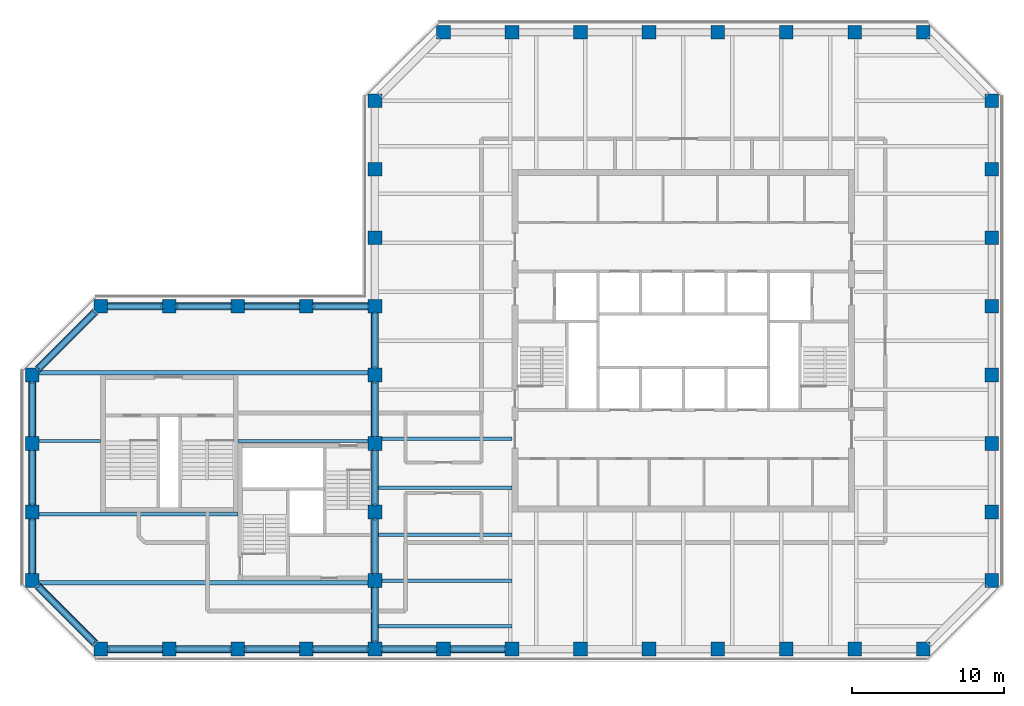
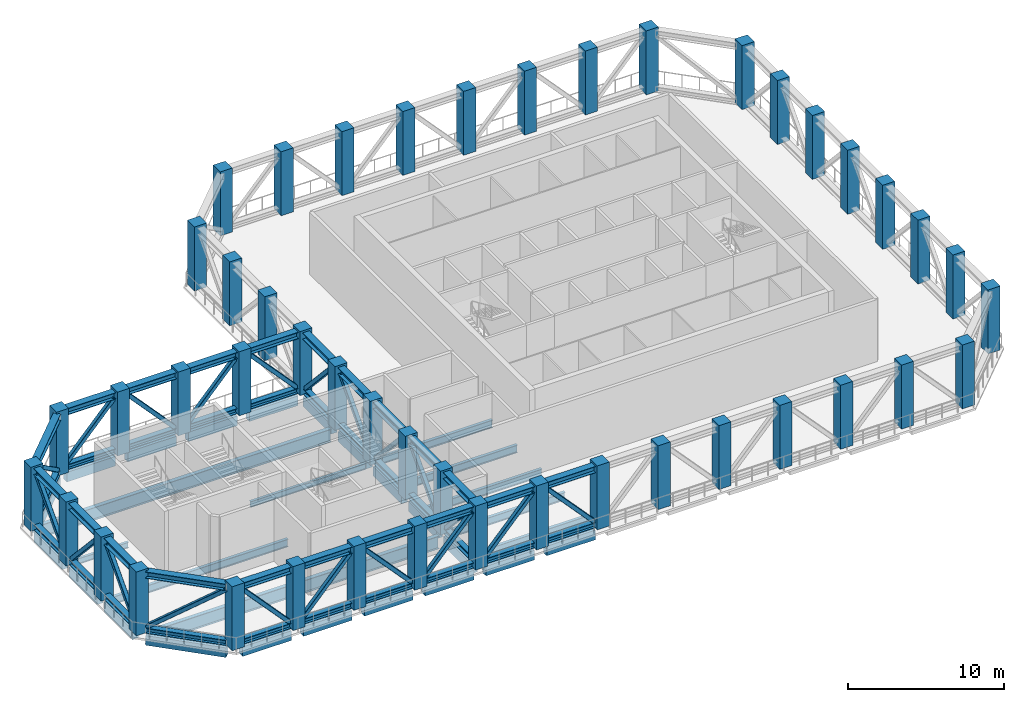
# One storey, part 1 of 13: 60 members, 45 columns, 30 beams.
"""IFC4 building model written with IfcOpenShell, lengths in metres."""

from ifc_helpers import new_model, si_unit, direction, frame, origin, origin_2d, place, context, subcontext, project, spatial, rectangle, hollow_rectangle, i_section, extrude, material, material_profile, profile_set, type_object, element, save


model = new_model("IFC4")

# Units and contexts
model_context = context("Model", 3, precision=1e-05, world=origin(), true_north=direction((0.0, 1.0)))
body_context = subcontext(model_context, "Body", "Model", "MODEL_VIEW")
ifc_project = project(units=[si_unit("LENGTHUNIT", "METRE"), si_unit("AREAUNIT", "SQUARE_METRE"), si_unit("VOLUMEUNIT", "CUBIC_METRE"), si_unit("PLANEANGLEUNIT", "RADIAN"), si_unit("MASSUNIT", "GRAM", prefix="KILO")], contexts=[model_context])

# Site, building, storey
site_placement = place(None, origin())
site = spatial("IfcSite", under=ifc_project, at=site_placement, CompositionType="ELEMENT")
building_placement = place(site_placement, origin())
building = spatial("IfcBuilding", under=site, at=building_placement, Name="Quoin Convention Tower", CompositionType="ELEMENT")
storey_placement = place(building_placement, frame((0.0, 0.0, 206.89990234375)))
storey = spatial("IfcBuildingStorey", under=building, at=storey_placement, Name="L54", CompositionType="ELEMENT", Elevation=206.89990234375)

# Columns
ifc_material_1 = material(Name="Concrete C50", Category="concrete")
ifc_material_profile_1 = material_profile(ifc_material_1, rectangle(XDim=0.89990234375, YDim=0.89990234375, at=origin_2d()), Name="RC 900x900")
ifc_profile_set_1 = profile_set([ifc_material_profile_1], Name="Concrete C50")
column_type = type_object("IfcColumnType", Name="RC 900x900 C50", PredefinedType="COLUMN", material=ifc_profile_set_1)
for number, where, z_axis, x_axis, name in (
    (1, (18.0, 40.5, 0.0), (0.0, 0.0, 1.0), (1.0, 0.0, 0.0), "col-L54-18000_40500"),
    (2, (22.5, 40.5, 0.0), (0.0, 0.0, 1.0), (1.0, 0.0, 0.0), "col-L54-22500_40500"),
    (3, (27.0, 40.5, 0.0), (0.0, 0.0, 1.0), (1.0, 0.0, 0.0), "col-L54-27000_40500"),
    (4, (31.5, 40.5, 0.0), (0.0, 0.0, 1.0), (1.0, 0.0, 0.0), "col-L54-31500_40500"),
    (5, (36.0, 40.5, 0.0), (0.0, 0.0, 1.0), (1.0, 0.0, 0.0), "col-L54-36000_40500"),
    (6, (40.5, 40.5, 0.0), (0.0, 0.0, 1.0), (1.0, 0.0, 0.0), "col-L54-40500_40500"),
    (7, (45.0, 40.5, 0.0), (0.0, 0.0, 1.0), (1.0, 0.0, 0.0), "col-L54-45000_40500"),
    (8, (49.5, 40.5, 0.0), (0.0, 0.0, 1.0), (1.0, 0.0, 0.0), "col-L54-49500_40500"),
    (9, (54.0, 40.5, 0.0), (0.0, 0.0, 1.0), (1.0, 0.0, 0.0), "col-L54-54000_40500"),
    (10, (58.5, 40.5, 0.0), (0.0, 0.0, 1.0), (1.0, 0.0, 0.0), "col-L54-58500_40500"),
    (11, (63.0, 40.5, 0.0), (0.0, 0.0, 1.0), (1.0, 0.0, 0.0), "col-L54-63000_40500"),
    (12, (67.5, 40.5, 0.0), (0.0, 0.0, 1.0), (1.0, 0.0, 0.0), "col-L54-67500_40500"),
    (13, (72.0, 40.5, 0.0), (0.0, 0.0, 1.0), (1.0, 0.0, 0.0), "col-L54-72000_40500"),
    (14, (13.5, 45.0, 0.0), (0.0, 0.0, 1.0), (1.0, 0.0, 0.0), "col-L54-13500_45000"),
    (15, (36.0, 45.0, 0.0), (0.0, 0.0, 1.0), (1.0, 0.0, 0.0), "web-L54-36000_45000"),
    (16, (76.5, 45.0, 0.0), (0.0, 0.0, 1.0), (1.0, 0.0, 0.0), "col-L54-76500_45000"),
    (17, (13.5, 49.5, 0.0), (0.0, 0.0, 1.0), (1.0, 0.0, 0.0), "col-L54-13500_49500"),
    (18, (36.0, 49.5, 0.0), (0.0, 0.0, 1.0), (1.0, 0.0, 0.0), "web-L54-36000_49500"),
    (19, (76.5, 49.5, 0.0), (0.0, 0.0, 1.0), (1.0, 0.0, 0.0), "col-L54-76500_49500"),
    (20, (13.5, 54.0, 0.0), (0.0, 0.0, 1.0), (1.0, 0.0, 0.0), "col-L54-13500_54000"),
    (21, (36.0, 54.0, 0.0), (0.0, 0.0, 1.0), (1.0, 0.0, 0.0), "web-L54-36000_54000"),
    (22, (76.5, 54.0, 0.0), (0.0, 0.0, 1.0), (1.0, 0.0, 0.0), "col-L54-76500_54000"),
    (23, (13.5, 58.5, 0.0), (0.0, 0.0, 1.0), (1.0, 0.0, 0.0), "col-L54-13500_58500"),
    (24, (36.0, 58.5, 0.0), (0.0, 0.0, 1.0), (1.0, 0.0, 0.0), "web-L54-36000_58500"),
    (25, (76.5, 58.5, 0.0), (0.0, 0.0, 1.0), (1.0, 0.0, 0.0), "col-L54-76500_58500"),
    (26, (18.0, 63.0, 0.0), (0.0, 0.0, 1.0), (1.0, 0.0, 0.0), "col-L54-18000_63000"),
    (27, (22.5, 63.0, 0.0), (0.0, 0.0, 1.0), (1.0, 0.0, 0.0), "col-L54-22500_63000"),
    (28, (27.0, 63.0, 0.0), (0.0, 0.0, 1.0), (1.0, 0.0, 0.0), "col-L54-27000_63000"),
    (29, (31.5, 63.0, 0.0), (0.0, 0.0, 1.0), (1.0, 0.0, 0.0), "col-L54-31500_63000"),
    (30, (36.0, 63.0, 0.0), (0.0, 0.0, 1.0), (1.0, 0.0, 0.0), "col-L54-36000_63000"),
    (31, (76.5, 63.0, 0.0), (0.0, 0.0, 1.0), (1.0, 0.0, 0.0), "col-L54-76500_63000"),
    (32, (36.0, 67.5, 0.0), (0.0, 0.0, 1.0), (1.0, 0.0, 0.0), "col-L54-36000_67500"),
    (33, (76.5, 67.5, 0.0), (0.0, 0.0, 1.0), (1.0, 0.0, 0.0), "col-L54-76500_67500"),
    (34, (36.0, 72.0, 0.0), (0.0, 0.0, 1.0), (1.0, 0.0, 0.0), "col-L54-36000_72000"),
    (35, (76.5, 72.0, 0.0), (0.0, 0.0, 1.0), (1.0, 0.0, 0.0), "col-L54-76500_72000"),
    (36, (36.0, 76.5, 0.0), (0.0, 0.0, 1.0), (1.0, 0.0, 0.0), "col-L54-36000_76500"),
    (37, (76.5, 76.5, 0.0), (0.0, 0.0, 1.0), (1.0, 0.0, 0.0), "col-L54-76500_76500"),
    (38, (40.5, 81.0, 0.0), (0.0, 0.0, 1.0), (1.0, 0.0, 0.0), "col-L54-40500_81000"),
    (39, (45.0, 81.0, 0.0), (0.0, 0.0, 1.0), (1.0, 0.0, 0.0), "col-L54-45000_81000"),
    (40, (49.5, 81.0, 0.0), (0.0, 0.0, 1.0), (1.0, 0.0, 0.0), "col-L54-49500_81000"),
    (41, (54.0, 81.0, 0.0), (0.0, 0.0, 1.0), (1.0, 0.0, 0.0), "col-L54-54000_81000"),
    (42, (58.5, 81.0, 0.0), (0.0, 0.0, 1.0), (1.0, 0.0, 0.0), "col-L54-58500_81000"),
    (43, (63.0, 81.0, 0.0), (0.0, 0.0, 1.0), (1.0, 0.0, 0.0), "col-L54-63000_81000"),
    (44, (67.5, 81.0, 0.0), (0.0, 0.0, 1.0), (1.0, 0.0, 0.0), "col-L54-67500_81000"),
    (45, (72.0, 81.0, 0.0), (0.0, 0.0, 1.0), (1.0, 0.0, 0.0), "col-L54-72000_81000"),
):
    element("IfcColumn", number, at=place(storey_placement, frame(where, z_axis=z_axis, x_axis=x_axis)), inside=storey, type_object=column_type, Name=name, PredefinedType="COLUMN", context=body_context, shape_type="SweptSolid", body=[
        extrude(rectangle(XDim=0.89990234375, YDim=0.89990234375, at=origin_2d()), origin(), (0.0, 0.0, 1.0), 5.0),
    ])

# Beams
ifc_material_2 = material(Name="Steel Grade 300", Category="steel")
ifc_material_profile_2 = material_profile(ifc_material_2, i_section(OverallWidth=0.300048828125, OverallDepth=1.0, WebThickness=0.01611328125, FlangeThickness=0.02001953125, at=origin_2d()), Name="1000WB215")
ifc_profile_set_2 = profile_set([ifc_material_profile_2], Name="Steel Grade 300")
beam_type_1 = type_object("IfcBeamType", Name="1000WB215", PredefinedType="BEAM", material=ifc_profile_set_2)
for number, where, z_axis, x_axis, name in (
    (46, (13.949951171875, 44.85009765625, -0.64990234375), (1.0, 0.0, 0.0), (0.0, 1.0, 0.0), "gir-L54-ST2-1-0"),
    (47, (13.949951171875, 58.64990234375, -0.64990234375), (1.0, 0.0, 0.0), (0.0, 1.0, 0.0), "gir-L54-ST2-4-0"),
):
    element("IfcBeam", number, at=place(storey_placement, frame(where, z_axis=z_axis, x_axis=x_axis)), inside=storey, type_object=beam_type_1, Name=name, PredefinedType="BEAM", context=body_context, shape_type="SweptSolid", body=[
        extrude(i_section(OverallWidth=0.300048828125, OverallDepth=1.0, WebThickness=0.01611328125, FlangeThickness=0.02001953125, at=origin_2d()), origin(), (0.0, 0.0, 1.0), 21.60009765625),
    ])

# Members
ifc_material_3 = material(Name="Steel C450L0", Category="steel")
ifc_material_profile_3 = material_profile(ifc_material_3, hollow_rectangle(XDim=0.300048828125, YDim=0.300048828125, WallThickness=0.012451171875, InnerFilletRadius=0.018798828125, OuterFilletRadius=0.03125, at=origin_2d()), Name="300x300x12.5SHS")
ifc_profile_set_3 = profile_set([ifc_material_profile_3], Name="Steel C450L0")
member_type_1 = type_object("IfcMemberType", Name="300x300x12.5SHS", PredefinedType="BRACE", material=ifc_profile_set_3)
for number, where, z_axis, x_axis, name in (
    (48, (36.449951171875, 40.5, 0.422119140625), (0.676970994277, 0.0, 0.736009696205), (0.0, 1.0, 0.0), "Belt truss L54 diagonal 36000_40500-40500_40500"),
    (49, (44.550048828125, 40.5, 0.422119140625), (-0.676970994277, 0.0, 0.736009696205), (0.0, -1.0, 0.0), "Belt truss L54 diagonal 40500_40500-45000_40500"),
    (50, (35.550048828125, 63.0, 0.422119140625), (-0.676970994277, 0.0, 0.736009696205), (0.0, -1.0, 0.0), "Belt truss L54 diagonal 36000_63000-31500_63000"),
    (51, (27.449951171875, 63.0, 0.422119140625), (0.676970994277, 0.0, 0.736009696205), (0.0, 1.0, 0.0), "Belt truss L54 diagonal 31500_63000-27000_63000"),
    (52, (26.550048828125, 63.0, 0.422119140625), (-0.676970994277, 0.0, 0.736009696205), (0.0, -1.0, 0.0), "Belt truss L54 diagonal 27000_63000-22500_63000"),
    (53, (18.449951171875, 63.0, 0.422119140625), (0.676970994277, 0.0, 0.736009696205), (0.0, 1.0, 0.0), "Belt truss L54 diagonal 22500_63000-18000_63000"),
):
    element("IfcMember", number, at=place(storey_placement, frame(where, z_axis=z_axis, x_axis=x_axis)), inside=storey, type_object=member_type_1, Name=name, PredefinedType="BRACE", context=body_context, shape_type="SweptSolid", body=[
        extrude(hollow_rectangle(XDim=0.300048828125, YDim=0.300048828125, WallThickness=0.012451171875, InnerFilletRadius=0.018798828125, OuterFilletRadius=0.03125, at=origin_2d()), origin(), (0.0, 0.0, 1.0), 5.31787109375),
    ])
member_1_placement = place(storey_placement, frame((17.635009765625, 62.635009765625, 0.422119140625), z_axis=(-0.56999956755, -0.56999956755, 0.591777818091), x_axis=(0.707106781187, -0.707106781187, 0.0)))
element("IfcMember", 54, at=member_1_placement, inside=storey, type_object=member_type_1, Name="Belt truss L54 diagonal 18000_63000-13500_58500", PredefinedType="BRACE", context=body_context, shape_type="SweptSolid", body=[
    extrude(hollow_rectangle(XDim=0.300048828125, YDim=0.300048828125, WallThickness=0.012451171875, InnerFilletRadius=0.018798828125, OuterFilletRadius=0.03125, at=origin_2d()), origin(), (0.0, 0.0, 1.0), 6.614013671875),
])
for number, where, z_axis, x_axis, name in (
    (55, (13.5, 54.449951171875, 0.422119140625), (0.0, 0.676970994277, 0.736009696205), (-1.0, 0.0, 0.0), "Belt truss L54 diagonal 13500_58500-13500_54000"),
    (56, (13.5, 53.550048828125, 0.422119140625), (0.0, -0.676970994277, 0.736009696205), (1.0, 0.0, 0.0), "Belt truss L54 diagonal 13500_54000-13500_49500"),
    (57, (13.5, 45.449951171875, 0.422119140625), (0.0, 0.676970994277, 0.736009696205), (-1.0, 0.0, 0.0), "Belt truss L54 diagonal 13500_49500-13500_45000"),
):
    element("IfcMember", number, at=place(storey_placement, frame(where, z_axis=z_axis, x_axis=x_axis)), inside=storey, type_object=member_type_1, Name=name, PredefinedType="BRACE", context=body_context, shape_type="SweptSolid", body=[
        extrude(hollow_rectangle(XDim=0.300048828125, YDim=0.300048828125, WallThickness=0.012451171875, InnerFilletRadius=0.018798828125, OuterFilletRadius=0.03125, at=origin_2d()), origin(), (0.0, 0.0, 1.0), 5.31787109375),
    ])
member_2_placement = place(storey_placement, frame((13.864990234375, 44.635009765625, 0.422119140625), z_axis=(0.56999956755, -0.56999956755, 0.591777818091), x_axis=(0.707106781187, 0.707106781187, 0.0)))
element("IfcMember", 58, at=member_2_placement, inside=storey, type_object=member_type_1, Name="Belt truss L54 diagonal 13500_45000-18000_40500", PredefinedType="BRACE", context=body_context, shape_type="SweptSolid", body=[
    extrude(hollow_rectangle(XDim=0.300048828125, YDim=0.300048828125, WallThickness=0.012451171875, InnerFilletRadius=0.018798828125, OuterFilletRadius=0.03125, at=origin_2d()), origin(), (0.0, 0.0, 1.0), 6.614013671875),
])
for number, where, z_axis, x_axis, name in (
    (59, (22.050048828125, 40.5, 0.422119140625), (-0.676970994277, 0.0, 0.736009696205), (0.0, -1.0, 0.0), "Belt truss L54 diagonal 18000_40500-22500_40500"),
    (60, (22.949951171875, 40.5, 0.422119140625), (0.676970994277, 0.0, 0.736009696205), (0.0, 1.0, 0.0), "Belt truss L54 diagonal 22500_40500-27000_40500"),
    (61, (31.050048828125, 40.5, 0.422119140625), (-0.676970994277, 0.0, 0.736009696205), (0.0, -1.0, 0.0), "Belt truss L54 diagonal 27000_40500-31500_40500"),
    (62, (31.949951171875, 40.5, 0.422119140625), (0.676970994277, 0.0, 0.736009696205), (0.0, 1.0, 0.0), "Belt truss L54 diagonal 31500_40500-36000_40500"),
    (63, (36.0, 44.550048828125, 0.422119140625), (0.0, -0.676970994277, 0.736009696205), (1.0, 0.0, 0.0), "Belt truss L54 diagonal 36000_40500-36000_45000"),
    (64, (36.0, 45.449951171875, 0.422119140625), (0.0, 0.676970994277, 0.736009696205), (-1.0, 0.0, 0.0), "Belt truss L54 diagonal 36000_45000-36000_49500"),
    (65, (36.0, 53.550048828125, 0.422119140625), (0.0, -0.676970994277, 0.736009696205), (1.0, 0.0, 0.0), "Belt truss L54 diagonal 36000_49500-36000_54000"),
    (66, (36.0, 54.449951171875, 0.422119140625), (0.0, 0.676970994277, 0.736009696205), (-1.0, 0.0, 0.0), "Belt truss L54 diagonal 36000_54000-36000_58500"),
    (67, (36.0, 62.550048828125, 0.422119140625), (0.0, -0.676970994277, 0.736009696205), (1.0, 0.0, 0.0), "Belt truss L54 diagonal 36000_58500-36000_63000"),
):
    element("IfcMember", number, at=place(storey_placement, frame(where, z_axis=z_axis, x_axis=x_axis)), inside=storey, type_object=member_type_1, Name=name, PredefinedType="BRACE", context=body_context, shape_type="SweptSolid", body=[
        extrude(hollow_rectangle(XDim=0.300048828125, YDim=0.300048828125, WallThickness=0.012451171875, InnerFilletRadius=0.018798828125, OuterFilletRadius=0.03125, at=origin_2d()), origin(), (0.0, 0.0, 1.0), 5.31787109375),
    ])
ifc_material_profile_4 = material_profile(ifc_material_2, i_section(OverallWidth=0.39990234375, OverallDepth=0.422119140625, WebThickness=0.028076171875, FlangeThickness=0.035888671875, at=origin_2d()), Name="400WC303")
ifc_profile_set_4 = profile_set([ifc_material_profile_4], Name="Steel Grade 300")
member_type_2 = type_object("IfcMemberType", Name="400WC303", PredefinedType="CHORD", material=ifc_profile_set_4)
for number, where, z_axis, x_axis, name in (
    (68, (36.449951171875, 40.5, 0.211181640625), (1.0, 0.0, 0.0), (0.0, 1.0, 0.0), "Belt truss L54 bottom chord 36000_40500-40500_40500"),
    (69, (40.949951171875, 40.5, 0.211181640625), (1.0, 0.0, 0.0), (0.0, 1.0, 0.0), "Belt truss L54 bottom chord 40500_40500-45000_40500"),
    (70, (35.550048828125, 63.0, 0.211181640625), (-1.0, 0.0, 0.0), (0.0, -1.0, 0.0), "Belt truss L54 bottom chord 36000_63000-31500_63000"),
    (71, (31.050048828125, 63.0, 0.211181640625), (-1.0, 0.0, 0.0), (0.0, -1.0, 0.0), "Belt truss L54 bottom chord 31500_63000-27000_63000"),
    (72, (26.550048828125, 63.0, 0.211181640625), (-1.0, 0.0, 0.0), (0.0, -1.0, 0.0), "Belt truss L54 bottom chord 27000_63000-22500_63000"),
    (73, (22.050048828125, 63.0, 0.211181640625), (-1.0, 0.0, 0.0), (0.0, -1.0, 0.0), "Belt truss L54 bottom chord 22500_63000-18000_63000"),
):
    element("IfcMember", number, at=place(storey_placement, frame(where, z_axis=z_axis, x_axis=x_axis)), inside=storey, type_object=member_type_2, Name=name, PredefinedType="CHORD", context=body_context, shape_type="SweptSolid", body=[
        extrude(i_section(OverallWidth=0.39990234375, OverallDepth=0.422119140625, WebThickness=0.028076171875, FlangeThickness=0.035888671875, at=origin_2d()), origin(), (0.0, 0.0, 1.0), 3.60009765625),
    ])
member_3_placement = place(storey_placement, frame((17.635009765625, 62.635009765625, 0.211181640625), z_axis=(-0.707106781187, -0.707106781187, 0.0), x_axis=(0.707106781187, -0.707106781187, 0.0)))
element("IfcMember", 74, at=member_3_placement, inside=storey, type_object=member_type_2, Name="Belt truss L54 bottom chord 18000_63000-13500_58500", PredefinedType="CHORD", context=body_context, shape_type="SweptSolid", body=[
    extrude(i_section(OverallWidth=0.39990234375, OverallDepth=0.422119140625, WebThickness=0.028076171875, FlangeThickness=0.035888671875, at=origin_2d()), origin(), (0.0, 0.0, 1.0), 5.33154296875),
])
for number, where, z_axis, x_axis, name in (
    (75, (13.5, 58.050048828125, 0.211181640625), (0.0, -1.0, 0.0), (1.0, 0.0, 0.0), "Belt truss L54 bottom chord 13500_58500-13500_54000"),
    (76, (13.5, 53.550048828125, 0.211181640625), (0.0, -1.0, 0.0), (1.0, 0.0, 0.0), "Belt truss L54 bottom chord 13500_54000-13500_49500"),
    (77, (13.5, 49.050048828125, 0.211181640625), (0.0, -1.0, 0.0), (1.0, 0.0, 0.0), "Belt truss L54 bottom chord 13500_49500-13500_45000"),
):
    element("IfcMember", number, at=place(storey_placement, frame(where, z_axis=z_axis, x_axis=x_axis)), inside=storey, type_object=member_type_2, Name=name, PredefinedType="CHORD", context=body_context, shape_type="SweptSolid", body=[
        extrude(i_section(OverallWidth=0.39990234375, OverallDepth=0.422119140625, WebThickness=0.028076171875, FlangeThickness=0.035888671875, at=origin_2d()), origin(), (0.0, 0.0, 1.0), 3.60009765625),
    ])
member_4_placement = place(storey_placement, frame((13.864990234375, 44.635009765625, 0.211181640625), z_axis=(0.707106781187, -0.707106781187, 0.0), x_axis=(0.707106781187, 0.707106781187, 0.0)))
element("IfcMember", 78, at=member_4_placement, inside=storey, type_object=member_type_2, Name="Belt truss L54 bottom chord 13500_45000-18000_40500", PredefinedType="CHORD", context=body_context, shape_type="SweptSolid", body=[
    extrude(i_section(OverallWidth=0.39990234375, OverallDepth=0.422119140625, WebThickness=0.028076171875, FlangeThickness=0.035888671875, at=origin_2d()), origin(), (0.0, 0.0, 1.0), 5.33154296875),
])
for number, where, z_axis, x_axis, name in (
    (79, (18.449951171875, 40.5, 0.211181640625), (1.0, 0.0, 0.0), (0.0, 1.0, 0.0), "Belt truss L54 bottom chord 18000_40500-22500_40500"),
    (80, (22.949951171875, 40.5, 0.211181640625), (1.0, 0.0, 0.0), (0.0, 1.0, 0.0), "Belt truss L54 bottom chord 22500_40500-27000_40500"),
    (81, (27.449951171875, 40.5, 0.211181640625), (1.0, 0.0, 0.0), (0.0, 1.0, 0.0), "Belt truss L54 bottom chord 27000_40500-31500_40500"),
    (82, (31.949951171875, 40.5, 0.211181640625), (1.0, 0.0, 0.0), (0.0, 1.0, 0.0), "Belt truss L54 bottom chord 31500_40500-36000_40500"),
    (83, (36.0, 40.949951171875, 0.211181640625), (0.0, 1.0, 0.0), (-1.0, 0.0, 0.0), "Belt truss L54 bottom chord 36000_40500-36000_45000"),
    (84, (36.0, 45.449951171875, 0.211181640625), (0.0, 1.0, 0.0), (-1.0, 0.0, 0.0), "Belt truss L54 bottom chord 36000_45000-36000_49500"),
    (85, (36.0, 49.949951171875, 0.211181640625), (0.0, 1.0, 0.0), (-1.0, 0.0, 0.0), "Belt truss L54 bottom chord 36000_49500-36000_54000"),
    (86, (36.0, 54.449951171875, 0.211181640625), (0.0, 1.0, 0.0), (-1.0, 0.0, 0.0), "Belt truss L54 bottom chord 36000_54000-36000_58500"),
    (87, (36.0, 58.949951171875, 0.211181640625), (0.0, 1.0, 0.0), (-1.0, 0.0, 0.0), "Belt truss L54 bottom chord 36000_58500-36000_63000"),
):
    element("IfcMember", number, at=place(storey_placement, frame(where, z_axis=z_axis, x_axis=x_axis)), inside=storey, type_object=member_type_2, Name=name, PredefinedType="CHORD", context=body_context, shape_type="SweptSolid", body=[
        extrude(i_section(OverallWidth=0.39990234375, OverallDepth=0.422119140625, WebThickness=0.028076171875, FlangeThickness=0.035888671875, at=origin_2d()), origin(), (0.0, 0.0, 1.0), 3.60009765625),
    ])

# Beams
ifc_material_profile_5 = material_profile(ifc_material_2, i_section(OverallWidth=0.18994140625, OverallDepth=0.4541015625, WebThickness=0.008544921875, FlangeThickness=0.0126953125, FilletRadius=0.011474609375, at=origin_2d()), Name="460UB67.1")
ifc_profile_set_5 = profile_set([ifc_material_profile_5], Name="Steel Grade 300")
beam_type_2 = type_object("IfcBeamType", Name="460UB67.1", PredefinedType="BEAM", material=ifc_profile_set_5)
beam_1_placement = place(storey_placement, frame((13.949951171875, 54.14990234375, -0.376953125), z_axis=(1.0, 0.0, 0.0), x_axis=(0.0, 1.0, 0.0)))
element("IfcBeam", 88, at=beam_1_placement, inside=storey, type_object=beam_type_2, Name="gir-L54-ST2-3-0", PredefinedType="BEAM", context=body_context, shape_type="SweptSolid", body=[
    extrude(i_section(OverallWidth=0.18994140625, OverallDepth=0.4541015625, WebThickness=0.008544921875, FlangeThickness=0.0126953125, FilletRadius=0.011474609375, at=origin_2d()), origin(), (0.0, 0.0, 1.0), 4.050048828125),
])
beam_2_placement = place(storey_placement, frame((27.0, 54.14990234375, -0.376953125), z_axis=(1.0, 0.0, 0.0), x_axis=(0.0, 1.0, 0.0)))
element("IfcBeam", 89, at=beam_2_placement, inside=storey, type_object=beam_type_2, Name="gir-L54-ST2-3-1", PredefinedType="BEAM", context=body_context, shape_type="SweptSolid", body=[
    extrude(i_section(OverallWidth=0.18994140625, OverallDepth=0.4541015625, WebThickness=0.008544921875, FlangeThickness=0.0126953125, FilletRadius=0.011474609375, at=origin_2d()), origin(), (0.0, 0.0, 1.0), 8.550048828125),
])

# Members
ifc_material_profile_6 = material_profile(ifc_material_2, i_section(OverallWidth=0.5, OverallDepth=0.513916015625, WebThickness=0.02490234375, FlangeThickness=0.031982421875, at=origin_2d()), Name="500WC340")
ifc_profile_set_6 = profile_set([ifc_material_profile_6], Name="Steel Grade 300")
member_type_3 = type_object("IfcMemberType", Name="500WC340", PredefinedType="CHORD", material=ifc_profile_set_6)
for number, where, z_axis, x_axis, name in (
    (90, (36.449951171875, 40.5, 4.593017578125), (1.0, 0.0, 0.0), (0.0, 1.0, 0.0), "Belt truss L54 top chord 36000_40500-40500_40500"),
    (91, (40.949951171875, 40.5, 4.593017578125), (1.0, 0.0, 0.0), (0.0, 1.0, 0.0), "Belt truss L54 top chord 40500_40500-45000_40500"),
    (92, (35.550048828125, 63.0, 4.593017578125), (-1.0, 0.0, 0.0), (0.0, -1.0, 0.0), "Belt truss L54 top chord 36000_63000-31500_63000"),
    (93, (31.050048828125, 63.0, 4.593017578125), (-1.0, 0.0, 0.0), (0.0, -1.0, 0.0), "Belt truss L54 top chord 31500_63000-27000_63000"),
    (94, (26.550048828125, 63.0, 4.593017578125), (-1.0, 0.0, 0.0), (0.0, -1.0, 0.0), "Belt truss L54 top chord 27000_63000-22500_63000"),
    (95, (22.050048828125, 63.0, 4.593017578125), (-1.0, 0.0, 0.0), (0.0, -1.0, 0.0), "Belt truss L54 top chord 22500_63000-18000_63000"),
):
    element("IfcMember", number, at=place(storey_placement, frame(where, z_axis=z_axis, x_axis=x_axis)), inside=storey, type_object=member_type_3, Name=name, PredefinedType="CHORD", context=body_context, shape_type="SweptSolid", body=[
        extrude(i_section(OverallWidth=0.5, OverallDepth=0.513916015625, WebThickness=0.02490234375, FlangeThickness=0.031982421875, at=origin_2d()), origin(), (0.0, 0.0, 1.0), 3.60009765625),
    ])
member_5_placement = place(storey_placement, frame((17.635009765625, 62.635009765625, 4.593017578125), z_axis=(-0.707106781187, -0.707106781187, 0.0), x_axis=(0.707106781187, -0.707106781187, 0.0)))
element("IfcMember", 96, at=member_5_placement, inside=storey, type_object=member_type_3, Name="Belt truss L54 top chord 18000_63000-13500_58500", PredefinedType="CHORD", context=body_context, shape_type="SweptSolid", body=[
    extrude(i_section(OverallWidth=0.5, OverallDepth=0.513916015625, WebThickness=0.02490234375, FlangeThickness=0.031982421875, at=origin_2d()), origin(), (0.0, 0.0, 1.0), 5.33154296875),
])
for number, where, z_axis, x_axis, name in (
    (97, (13.5, 58.050048828125, 4.593017578125), (0.0, -1.0, 0.0), (1.0, 0.0, 0.0), "Belt truss L54 top chord 13500_58500-13500_54000"),
    (98, (13.5, 53.550048828125, 4.593017578125), (0.0, -1.0, 0.0), (1.0, 0.0, 0.0), "Belt truss L54 top chord 13500_54000-13500_49500"),
    (99, (13.5, 49.050048828125, 4.593017578125), (0.0, -1.0, 0.0), (1.0, 0.0, 0.0), "Belt truss L54 top chord 13500_49500-13500_45000"),
):
    element("IfcMember", number, at=place(storey_placement, frame(where, z_axis=z_axis, x_axis=x_axis)), inside=storey, type_object=member_type_3, Name=name, PredefinedType="CHORD", context=body_context, shape_type="SweptSolid", body=[
        extrude(i_section(OverallWidth=0.5, OverallDepth=0.513916015625, WebThickness=0.02490234375, FlangeThickness=0.031982421875, at=origin_2d()), origin(), (0.0, 0.0, 1.0), 3.60009765625),
    ])
member_6_placement = place(storey_placement, frame((13.864990234375, 44.635009765625, 4.593017578125), z_axis=(0.707106781187, -0.707106781187, 0.0), x_axis=(0.707106781187, 0.707106781187, 0.0)))
element("IfcMember", 100, at=member_6_placement, inside=storey, type_object=member_type_3, Name="Belt truss L54 top chord 13500_45000-18000_40500", PredefinedType="CHORD", context=body_context, shape_type="SweptSolid", body=[
    extrude(i_section(OverallWidth=0.5, OverallDepth=0.513916015625, WebThickness=0.02490234375, FlangeThickness=0.031982421875, at=origin_2d()), origin(), (0.0, 0.0, 1.0), 5.33154296875),
])
for number, where, z_axis, x_axis, name in (
    (101, (18.449951171875, 40.5, 4.593017578125), (1.0, 0.0, 0.0), (0.0, 1.0, 0.0), "Belt truss L54 top chord 18000_40500-22500_40500"),
    (102, (22.949951171875, 40.5, 4.593017578125), (1.0, 0.0, 0.0), (0.0, 1.0, 0.0), "Belt truss L54 top chord 22500_40500-27000_40500"),
    (103, (27.449951171875, 40.5, 4.593017578125), (1.0, 0.0, 0.0), (0.0, 1.0, 0.0), "Belt truss L54 top chord 27000_40500-31500_40500"),
    (104, (31.949951171875, 40.5, 4.593017578125), (1.0, 0.0, 0.0), (0.0, 1.0, 0.0), "Belt truss L54 top chord 31500_40500-36000_40500"),
    (105, (36.0, 40.949951171875, 4.593017578125), (0.0, 1.0, 0.0), (-1.0, 0.0, 0.0), "Belt truss L54 top chord 36000_40500-36000_45000"),
    (106, (36.0, 45.449951171875, 4.593017578125), (0.0, 1.0, 0.0), (-1.0, 0.0, 0.0), "Belt truss L54 top chord 36000_45000-36000_49500"),
    (107, (36.0, 49.949951171875, 4.593017578125), (0.0, 1.0, 0.0), (-1.0, 0.0, 0.0), "Belt truss L54 top chord 36000_49500-36000_54000"),
    (108, (36.0, 54.449951171875, 4.593017578125), (0.0, 1.0, 0.0), (-1.0, 0.0, 0.0), "Belt truss L54 top chord 36000_54000-36000_58500"),
    (109, (36.0, 58.949951171875, 4.593017578125), (0.0, 1.0, 0.0), (-1.0, 0.0, 0.0), "Belt truss L54 top chord 36000_58500-36000_63000"),
):
    element("IfcMember", number, at=place(storey_placement, frame(where, z_axis=z_axis, x_axis=x_axis)), inside=storey, type_object=member_type_3, Name=name, PredefinedType="CHORD", context=body_context, shape_type="SweptSolid", body=[
        extrude(i_section(OverallWidth=0.5, OverallDepth=0.513916015625, WebThickness=0.02490234375, FlangeThickness=0.031982421875, at=origin_2d()), origin(), (0.0, 0.0, 1.0), 3.60009765625),
    ])

# Beams
ifc_material_profile_7 = material_profile(ifc_material_2, i_section(OverallWidth=0.22802734375, OverallDepth=0.60205078125, WebThickness=0.010498046875, FlangeThickness=0.014892578125, FilletRadius=0.013916015625, at=origin_2d()), Name="610UB101")
ifc_profile_set_7 = profile_set([ifc_material_profile_7], Name="Steel Grade 300")
beam_type_3 = type_object("IfcBeamType", Name="610UB101", PredefinedType="BEAM", material=ifc_profile_set_7)
beam_3_placement = place(storey_placement, frame((36.22509765625, 51.107177734375, -0.450927734375), z_axis=(1.0, 0.0, 0.0), x_axis=(0.0, 1.0, 0.0)))
element("IfcBeam", 110, at=beam_3_placement, inside=storey, type_object=beam_type_3, Name="bm-L54-T1W0", PredefinedType="BEAM", context=body_context, shape_type="SweptSolid", body=[
    extrude(i_section(OverallWidth=0.22802734375, OverallDepth=0.60205078125, WebThickness=0.010498046875, FlangeThickness=0.014892578125, FilletRadius=0.013916015625, at=origin_2d()), origin(), (0.0, 0.0, 1.0), 8.77490234375),
])
beam_4_placement = place(storey_placement, frame((36.449951171875, 54.3212890625, -0.450927734375), z_axis=(1.0, 0.0, 0.0), x_axis=(0.0, 1.0, 0.0)))
element("IfcBeam", 111, at=beam_4_placement, inside=storey, type_object=beam_type_3, Name="bm-L54-T1W1", PredefinedType="BEAM", context=body_context, shape_type="SweptSolid", body=[
    extrude(i_section(OverallWidth=0.22802734375, OverallDepth=0.60205078125, WebThickness=0.010498046875, FlangeThickness=0.014892578125, FilletRadius=0.013916015625, at=origin_2d()), origin(), (0.0, 0.0, 1.0), 8.550048828125),
])
beam_5_placement = place(storey_placement, frame((36.22509765625, 42.0, -0.450927734375), z_axis=(1.0, 0.0, 0.0), x_axis=(0.0, 1.0, 0.0)))
element("IfcBeam", 112, at=beam_5_placement, inside=storey, type_object=beam_type_3, Name="bm-L54-T1SW0", PredefinedType="BEAM", context=body_context, shape_type="SweptSolid", body=[
    extrude(i_section(OverallWidth=0.22802734375, OverallDepth=0.60205078125, WebThickness=0.010498046875, FlangeThickness=0.014892578125, FilletRadius=0.013916015625, at=origin_2d()), origin(), (0.0, 0.0, 1.0), 8.77490234375),
])
beam_6_placement = place(storey_placement, frame((36.449951171875, 45.0, -0.450927734375), z_axis=(1.0, 0.0, 0.0), x_axis=(0.0, 1.0, 0.0)))
element("IfcBeam", 113, at=beam_6_placement, inside=storey, type_object=beam_type_3, Name="bm-L54-T1SW1", PredefinedType="BEAM", context=body_context, shape_type="SweptSolid", body=[
    extrude(i_section(OverallWidth=0.22802734375, OverallDepth=0.60205078125, WebThickness=0.010498046875, FlangeThickness=0.014892578125, FilletRadius=0.013916015625, at=origin_2d()), origin(), (0.0, 0.0, 1.0), 8.550048828125),
])
beam_7_placement = place(storey_placement, frame((36.22509765625, 48.0, -0.450927734375), z_axis=(1.0, 0.0, 0.0), x_axis=(0.0, 1.0, 0.0)))
element("IfcBeam", 114, at=beam_7_placement, inside=storey, type_object=beam_type_3, Name="bm-L54-T1SW2", PredefinedType="BEAM", context=body_context, shape_type="SweptSolid", body=[
    extrude(i_section(OverallWidth=0.22802734375, OverallDepth=0.60205078125, WebThickness=0.010498046875, FlangeThickness=0.014892578125, FilletRadius=0.013916015625, at=origin_2d()), origin(), (0.0, 0.0, 1.0), 8.77490234375),
])
beam_8_placement = place(storey_placement, frame((13.949951171875, 49.35009765625, -0.450927734375), z_axis=(1.0, 0.0, 0.0), x_axis=(0.0, 1.0, 0.0)))
element("IfcBeam", 115, at=beam_8_placement, inside=storey, type_object=beam_type_3, Name="gir-L54-ST2-2-0", PredefinedType="BEAM", context=body_context, shape_type="SweptSolid", body=[
    extrude(i_section(OverallWidth=0.22802734375, OverallDepth=0.60205078125, WebThickness=0.010498046875, FlangeThickness=0.014892578125, FilletRadius=0.013916015625, at=origin_2d()), origin(), (0.0, 0.0, 1.0), 13.050048828125),
])
ifc_material_profile_8 = material_profile(ifc_material_1, rectangle(XDim=0.449951171875, YDim=0.75, at=origin_2d()), Name="RC 450x750")
ifc_profile_set_8 = profile_set([ifc_material_profile_8], Name="Concrete C50")
beam_type_4 = type_object("IfcBeamType", Name="RC 450x750 C50", PredefinedType="SPANDREL", material=ifc_profile_set_8)
for number, where, z_axis, x_axis, name in (
    (116, (36.449951171875, 40.5, -0.52490234375), (1.0, 0.0, 0.0), (0.0, 1.0, 0.0), "spd-L54-36000_40500-40500_40500"),
    (117, (40.949951171875, 40.5, -0.52490234375), (1.0, 0.0, 0.0), (0.0, 1.0, 0.0), "spd-L54-40500_40500-45000_40500"),
    (118, (35.550048828125, 63.0, -0.52490234375), (-1.0, 0.0, 0.0), (0.0, -1.0, 0.0), "spd-L54-36000_63000-31500_63000"),
    (119, (31.050048828125, 63.0, -0.52490234375), (-1.0, 0.0, 0.0), (0.0, -1.0, 0.0), "spd-L54-31500_63000-27000_63000"),
    (120, (26.550048828125, 63.0, -0.52490234375), (-1.0, 0.0, 0.0), (0.0, -1.0, 0.0), "spd-L54-27000_63000-22500_63000"),
    (121, (22.050048828125, 63.0, -0.52490234375), (-1.0, 0.0, 0.0), (0.0, -1.0, 0.0), "spd-L54-22500_63000-18000_63000"),
):
    element("IfcBeam", number, at=place(storey_placement, frame(where, z_axis=z_axis, x_axis=x_axis)), inside=storey, type_object=beam_type_4, Name=name, PredefinedType="SPANDREL", context=body_context, shape_type="SweptSolid", body=[
        extrude(rectangle(XDim=0.449951171875, YDim=0.75, at=origin_2d()), origin(), (0.0, 0.0, 1.0), 3.60009765625),
    ])
beam_9_placement = place(storey_placement, frame((17.635009765625, 62.635009765625, -0.52490234375), z_axis=(-0.707106781187, -0.707106781187, 0.0), x_axis=(0.707106781187, -0.707106781187, 0.0)))
element("IfcBeam", 122, at=beam_9_placement, inside=storey, type_object=beam_type_4, Name="spd-L54-18000_63000-13500_58500", PredefinedType="SPANDREL", context=body_context, shape_type="SweptSolid", body=[
    extrude(rectangle(XDim=0.449951171875, YDim=0.75, at=origin_2d()), origin(), (0.0, 0.0, 1.0), 5.33154296875),
])
for number, where, z_axis, x_axis, name in (
    (123, (13.5, 58.050048828125, -0.52490234375), (0.0, -1.0, 0.0), (1.0, 0.0, 0.0), "spd-L54-13500_58500-13500_54000"),
    (124, (13.5, 53.550048828125, -0.52490234375), (0.0, -1.0, 0.0), (1.0, 0.0, 0.0), "spd-L54-13500_54000-13500_49500"),
    (125, (13.5, 49.050048828125, -0.52490234375), (0.0, -1.0, 0.0), (1.0, 0.0, 0.0), "spd-L54-13500_49500-13500_45000"),
):
    element("IfcBeam", number, at=place(storey_placement, frame(where, z_axis=z_axis, x_axis=x_axis)), inside=storey, type_object=beam_type_4, Name=name, PredefinedType="SPANDREL", context=body_context, shape_type="SweptSolid", body=[
        extrude(rectangle(XDim=0.449951171875, YDim=0.75, at=origin_2d()), origin(), (0.0, 0.0, 1.0), 3.60009765625),
    ])
beam_10_placement = place(storey_placement, frame((13.864990234375, 44.635009765625, -0.52490234375), z_axis=(0.707106781187, -0.707106781187, 0.0), x_axis=(0.707106781187, 0.707106781187, 0.0)))
element("IfcBeam", 126, at=beam_10_placement, inside=storey, type_object=beam_type_4, Name="spd-L54-13500_45000-18000_40500", PredefinedType="SPANDREL", context=body_context, shape_type="SweptSolid", body=[
    extrude(rectangle(XDim=0.449951171875, YDim=0.75, at=origin_2d()), origin(), (0.0, 0.0, 1.0), 5.33154296875),
])
for number, where, z_axis, x_axis, name in (
    (127, (18.449951171875, 40.5, -0.52490234375), (1.0, 0.0, 0.0), (0.0, 1.0, 0.0), "spd-L54-18000_40500-22500_40500"),
    (128, (22.949951171875, 40.5, -0.52490234375), (1.0, 0.0, 0.0), (0.0, 1.0, 0.0), "spd-L54-22500_40500-27000_40500"),
    (129, (27.449951171875, 40.5, -0.52490234375), (1.0, 0.0, 0.0), (0.0, 1.0, 0.0), "spd-L54-27000_40500-31500_40500"),
    (130, (31.949951171875, 40.5, -0.52490234375), (1.0, 0.0, 0.0), (0.0, 1.0, 0.0), "spd-L54-31500_40500-36000_40500"),
    (131, (36.0, 40.949951171875, -0.52490234375), (0.0, 1.0, 0.0), (-1.0, 0.0, 0.0), "spd-L54-36000_40500-36000_45000"),
    (132, (36.0, 45.449951171875, -0.52490234375), (0.0, 1.0, 0.0), (-1.0, 0.0, 0.0), "spd-L54-36000_45000-36000_49500"),
    (133, (36.0, 49.949951171875, -0.52490234375), (0.0, 1.0, 0.0), (-1.0, 0.0, 0.0), "spd-L54-36000_49500-36000_54000"),
    (134, (36.0, 54.449951171875, -0.52490234375), (0.0, 1.0, 0.0), (-1.0, 0.0, 0.0), "spd-L54-36000_54000-36000_58500"),
    (135, (36.0, 58.949951171875, -0.52490234375), (0.0, 1.0, 0.0), (-1.0, 0.0, 0.0), "spd-L54-36000_58500-36000_63000"),
):
    element("IfcBeam", number, at=place(storey_placement, frame(where, z_axis=z_axis, x_axis=x_axis)), inside=storey, type_object=beam_type_4, Name=name, PredefinedType="SPANDREL", context=body_context, shape_type="SweptSolid", body=[
        extrude(rectangle(XDim=0.449951171875, YDim=0.75, at=origin_2d()), origin(), (0.0, 0.0, 1.0), 3.60009765625),
    ])

save(model, "model.ifc")
